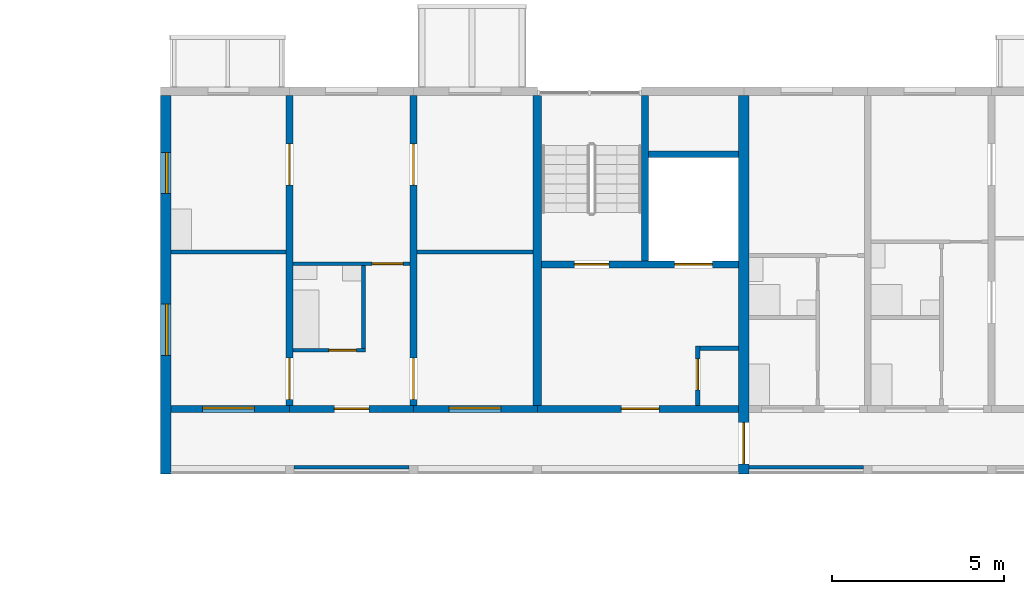
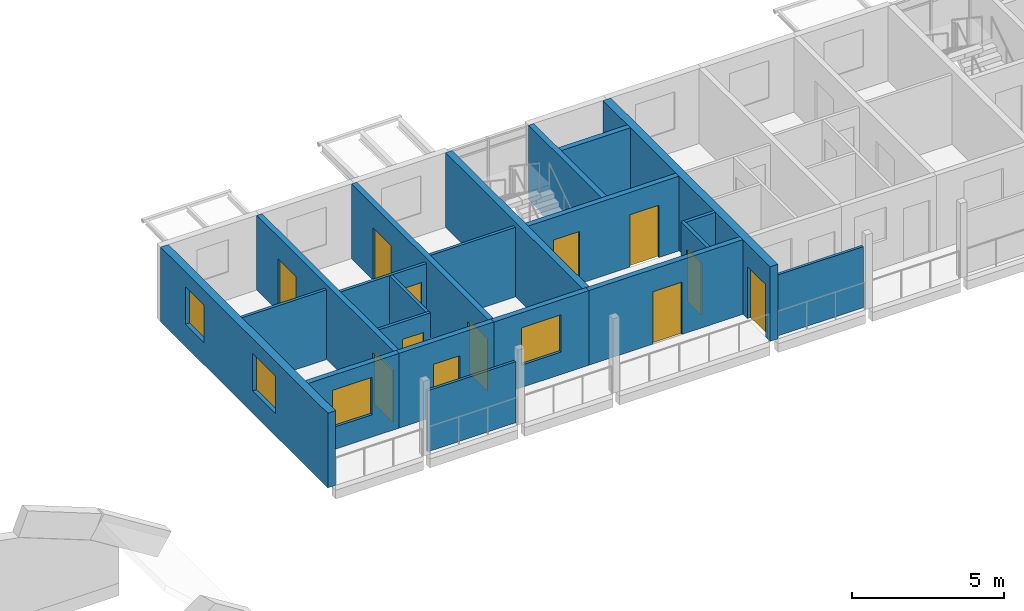
# One storey, part 48 of 99: 21 walls, 12 doors, 4 windows, 16 openings.
"""IFC4 building model written with IfcOpenShell, lengths in metres."""

from ifc_helpers import new_model, si_unit, direction, frame, frame_2d, origin, place, context, subcontext, project, spatial, rectangle, extrude, material, layer, layer_set, type_object, element, fill, save


model = new_model("IFC4")

# Units and contexts
model_context = context("Model", 3, precision=1e-05, world=origin(), true_north=direction((0.0, 1.0)))
body_context = subcontext(model_context, "Body", "Model", "MODEL_VIEW")
ifc_project = project(units=[si_unit("LENGTHUNIT", "METRE"), si_unit("AREAUNIT", "SQUARE_METRE"), si_unit("VOLUMEUNIT", "CUBIC_METRE"), si_unit("PLANEANGLEUNIT", "RADIAN"), si_unit("MASSUNIT", "GRAM", prefix="KILO")], contexts=[model_context])

# Site, building, storey
site_placement = place(None, origin())
site = spatial("IfcSite", under=ifc_project, at=site_placement, CompositionType="ELEMENT")
building_placement = place(site_placement, origin())
building = spatial("IfcBuilding", under=site, at=building_placement, Name="Ridgestep Commons", CompositionType="ELEMENT")
storey_placement = place(building_placement, frame((0.0, 0.0, 15.0)))
storey = spatial("IfcBuildingStorey", under=building, at=storey_placement, Name="L05", CompositionType="ELEMENT", Elevation=15.0)

# Wall
ifc_material_1 = material(Name="Concrete C30/37", Category="concrete")
ifc_layer_1 = layer(ifc_material_1, 0.25)
ifc_layer_set_1 = layer_set([ifc_layer_1], Name="Core cross wall 250")
wall_type_1 = type_object("IfcWallType", Name="Core cross wall 250", PredefinedType="SHEAR", material=ifc_layer_set_1)
wall_1_placement = place(storey_placement, frame((157.60009765625, 68.0, 0.0), z_axis=(0.0, 0.0, 1.0), x_axis=(0.0, 1.0, 0.0)))
element("IfcWall", 1, at=wall_1_placement, inside=storey, type_object=wall_type_1, Name="Cross wall C-05-1576", PredefinedType="SHEAR", context=body_context, shape_type="SweptSolid", body=[
    extrude(rectangle(XDim=9.0, YDim=0.25, at=frame_2d((4.5, 0.0))), origin(), (0.0, 0.0, 1.0), 3.0),
])

# Wall, opening, door
ifc_material_2 = material(Name="Concrete C30/37", Category="concrete")
ifc_layer_2 = layer(ifc_material_2, 0.199951171875)
ifc_layer_set_2 = layer_set([ifc_layer_2], Name="Core south wall 200")
wall_type_2 = type_object("IfcWallType", Name="Core south wall 200", PredefinedType="SHEAR", material=ifc_layer_set_2)
wall_2_placement = place(storey_placement, frame((157.60009765625, 67.89990234375, 0.0), z_axis=(0.0, 0.0, 1.0), x_axis=(1.0, 0.0, 0.0)))
wall_2 = element("IfcWall", 2, at=wall_2_placement, inside=storey, type_object=wall_type_2, Name="Core south wall C1C L05", PredefinedType="SHEAR", context=body_context, shape_type="SweptSolid", body=[
    extrude(rectangle(XDim=5.849853515625, YDim=0.199951171875, at=frame_2d((2.9248046875, 0.0))), origin(), (0.0, 0.0, 1.0), 3.0),
])
opening_1_placement = place(wall_2_placement, frame((2.4375, 0.0, 0.0)))
opening_1 = element("IfcOpeningElement", 3, at=opening_1_placement, cuts=wall_2, Name="Opening C1C/05/1", PredefinedType="OPENING", context=body_context, shape_type="SweptSolid", body=[
    extrude(rectangle(XDim=1.10009765625, YDim=2.10009765625, at=frame_2d((0.550048828125, 1.050048828125))), frame((0.0, 0.10986328125, 0.0), z_axis=(0.0, -1.0, 0.0), x_axis=(1.0, 0.0, 0.0)), (0.0, 0.0, 1.0), 0.219970703125),
])
ifc_material_3 = material(Name="Steel fire door", Category="steel")
door_type_1 = type_object("IfcDoorType", Name="Lobby door 1100 x 2100 FD60", OperationType="NOTDEFINED", PredefinedType="DOOR", material=ifc_material_3)
door_1_placement = place(opening_1_placement, origin())
door_1 = element("IfcDoor", 4, at=door_1_placement, inside=storey, type_object=door_type_1, Name="Lobby door C1C/05/1", OperationType="SINGLE_SWING_LEFT", OverallHeight=2.10009765625, OverallWidth=1.10009765625, PredefinedType="DOOR", context=body_context, shape_type="SweptSolid", body=[
    extrude(rectangle(XDim=1.10009765625, YDim=2.10009765625, at=frame_2d((0.550048828125, 1.050048828125))), frame((0.0, 0.02490234375, 0.0), z_axis=(0.0, -1.0, 0.0), x_axis=(1.0, 0.0, 0.0)), (0.0, 0.0, 1.0), 0.050048828125),
])
fill(opening_1, door_1)

ifc_material_4 = material(Name="Concrete C30/37", Category="concrete")
ifc_layer_3 = layer(ifc_material_4, 0.1201171875)
ifc_layer_set_3 = layer_set([ifc_layer_3], Name="Core wall 120")
wall_type_3 = type_object("IfcWallType", Name="Core wall 120", PredefinedType="SHEAR", material=ifc_layer_set_3)
wall_3_placement = place(storey_placement, frame((162.260009765625, 68.0, 0.0), z_axis=(0.0, 0.0, 1.0), x_axis=(0.0, 1.0, 0.0)))
wall_3 = element("IfcWall", 5, at=wall_3_placement, inside=storey, type_object=wall_type_3, Name="Core riser w wall C1C L05", PredefinedType="SHEAR", context=body_context, shape_type="SweptSolid", body=[
    extrude(rectangle(XDim=1.719970703125, YDim=0.1201171875, at=frame_2d((0.85986328125, 0.0))), origin(), (0.0, 0.0, 1.0), 3.0),
])
opening_2_placement = place(wall_3_placement, frame((0.449951171875, 0.0, 0.0)))
opening_2 = element("IfcOpeningElement", 6, at=opening_2_placement, cuts=wall_3, Name="Opening C1C/05/4", PredefinedType="OPENING", context=body_context, shape_type="SweptSolid", body=[
    extrude(rectangle(XDim=0.89990234375, YDim=2.10009765625, at=frame_2d((0.449951171875, 1.050048828125))), frame((0.0, 0.070068359375, 0.0), z_axis=(0.0, -1.0, 0.0), x_axis=(1.0, 0.0, 0.0)), (0.0, 0.0, 1.0), 0.14013671875),
])
ifc_material_5 = material(Name="Steel fire door", Category="steel")
door_type_2 = type_object("IfcDoorType", Name="Riser door 900 x 2100 FD60", OperationType="NOTDEFINED", PredefinedType="DOOR", material=ifc_material_5)
door_2_placement = place(opening_2_placement, origin())
door_2 = element("IfcDoor", 7, at=door_2_placement, inside=storey, type_object=door_type_2, Name="Riser door C1C/05/4", OperationType="SINGLE_SWING_LEFT", OverallHeight=2.10009765625, OverallWidth=0.89990234375, PredefinedType="DOOR", context=body_context, shape_type="SweptSolid", body=[
    extrude(rectangle(XDim=0.89990234375, YDim=2.10009765625, at=frame_2d((0.449951171875, 1.050048828125))), frame((0.0, 0.02490234375, 0.0), z_axis=(0.0, -1.0, 0.0), x_axis=(1.0, 0.0, 0.0)), (0.0, 0.0, 1.0), 0.050048828125),
])
fill(opening_2, door_2)

# Wall
wall_4_placement = place(storey_placement, frame((162.320068359375, 69.659912109375, 0.0), z_axis=(0.0, 0.0, 1.0), x_axis=(1.0, 0.0, 0.0)))
element("IfcWall", 8, at=wall_4_placement, inside=storey, type_object=wall_type_3, Name="Core riser n wall C1C L05", PredefinedType="SHEAR", context=body_context, shape_type="SweptSolid", body=[
    extrude(rectangle(XDim=1.1298828125, YDim=0.1201171875, at=frame_2d((0.56494140625, 0.0))), origin(), (0.0, 0.0, 1.0), 3.0),
])

# Wall, openings, doors
ifc_material_6 = material(Name="Concrete C30/37", Category="concrete")
ifc_layer_4 = layer(ifc_material_6, 0.199951171875)
ifc_layer_set_4 = layer_set([ifc_layer_4], Name="Core wall 200")
wall_type_4 = type_object("IfcWallType", Name="Core wall 200", PredefinedType="SHEAR", material=ifc_layer_set_4)
wall_5_placement = place(storey_placement, frame((157.72509765625, 72.10009765625, 0.0), z_axis=(0.0, 0.0, 1.0), x_axis=(1.0, 0.0, 0.0)))
wall_5 = element("IfcWall", 9, at=wall_5_placement, inside=storey, type_object=wall_type_4, Name="Core lobby wall C1C L05", PredefinedType="SHEAR", context=body_context, shape_type="SweptSolid", body=[
    extrude(rectangle(XDim=5.724853515625, YDim=0.199951171875, at=frame_2d((2.8623046875, 0.0))), origin(), (0.0, 0.0, 1.0), 3.0),
])
opening_3_placement = place(wall_5_placement, frame((0.949951171875, 0.0, 0.0)))
opening_3 = element("IfcOpeningElement", 10, at=opening_3_placement, cuts=wall_5, Name="Opening C1C/05/2", PredefinedType="OPENING", context=body_context, shape_type="SweptSolid", body=[
    extrude(rectangle(XDim=1.0, YDim=2.10009765625, at=frame_2d((0.5, 1.050048828125))), frame((0.0, 0.10986328125, 0.0), z_axis=(0.0, -1.0, 0.0), x_axis=(1.0, 0.0, 0.0)), (0.0, 0.0, 1.0), 0.219970703125),
])
opening_4_placement = place(wall_5_placement, frame((3.862548828125, 0.0, 0.0)))
opening_4 = element("IfcOpeningElement", 11, at=opening_4_placement, cuts=wall_5, Name="Opening C1C/05/3", PredefinedType="OPENING", context=body_context, shape_type="SweptSolid", body=[
    extrude(rectangle(XDim=1.10009765625, YDim=2.10009765625, at=frame_2d((0.550048828125, 1.050048828125))), frame((0.0, 0.10986328125, 0.0), z_axis=(0.0, -1.0, 0.0), x_axis=(1.0, 0.0, 0.0)), (0.0, 0.0, 1.0), 0.219970703125),
])
ifc_material_7 = material(Name="Stainless steel", Category="steel")
door_type_3 = type_object("IfcDoorType", Name="Lift landing door 1100 x 2100 FD60", OperationType="DOUBLE_DOOR_SLIDING", PredefinedType="DOOR", material=ifc_material_7)
door_3_placement = place(opening_4_placement, origin())
door_3 = element("IfcDoor", 12, at=door_3_placement, inside=storey, type_object=door_type_3, Name="Landing door LD C1C L05", OperationType="DOUBLE_DOOR_SLIDING", OverallHeight=2.10009765625, OverallWidth=1.10009765625, PredefinedType="DOOR", context=body_context, shape_type="SweptSolid", body=[
    extrude(rectangle(XDim=1.10009765625, YDim=2.10009765625, at=frame_2d((0.550048828125, 1.050048828125))), frame((0.0, 0.02490234375, 0.0), z_axis=(0.0, -1.0, 0.0), x_axis=(1.0, 0.0, 0.0)), (0.0, 0.0, 1.0), 0.050048828125),
])
fill(opening_4, door_3)
ifc_material_8 = material(Name="Steel fire door", Category="steel")
door_type_4 = type_object("IfcDoorType", Name="Stair door 1000 x 2100 FD60", OperationType="NOTDEFINED", PredefinedType="DOOR", material=ifc_material_8)
door_4_placement = place(opening_3_placement, origin())
door_4 = element("IfcDoor", 13, at=door_4_placement, inside=storey, type_object=door_type_4, Name="Stair door C1C/05/2", OperationType="SINGLE_SWING_RIGHT", OverallHeight=2.10009765625, OverallWidth=1.0, PredefinedType="DOOR", context=body_context, shape_type="SweptSolid", body=[
    extrude(rectangle(XDim=1.0, YDim=2.10009765625, at=frame_2d((0.5, 1.050048828125))), frame((0.0, 0.02490234375, 0.0), z_axis=(0.0, -1.0, 0.0), x_axis=(1.0, 0.0, 0.0)), (0.0, 0.0, 1.0), 0.050048828125),
])
fill(opening_3, door_4)

# Walls
wall_6_placement = place(storey_placement, frame((160.72509765625, 72.199951171875, 0.0), z_axis=(0.0, 0.0, 1.0), x_axis=(0.0, 1.0, 0.0)))
element("IfcWall", 14, at=wall_6_placement, inside=storey, type_object=wall_type_4, Name="Core stair wall C1C L05", PredefinedType="SHEAR", context=body_context, shape_type="SweptSolid", body=[
    extrude(rectangle(XDim=4.800048828125, YDim=0.199951171875, at=frame_2d((2.39990234375, 0.0))), origin(), (0.0, 0.0, 1.0), 3.0),
])
wall_7_placement = place(storey_placement, frame((160.824951171875, 75.300048828125, 0.0), z_axis=(0.0, 0.0, 1.0), x_axis=(1.0, 0.0, 0.0)))
element("IfcWall", 15, at=wall_7_placement, inside=storey, type_object=wall_type_4, Name="Core duct wall C1C L05", PredefinedType="SHEAR", context=body_context, shape_type="SweptSolid", body=[
    extrude(rectangle(XDim=2.625, YDim=0.199951171875, at=frame_2d((1.3125, 0.0))), origin(), (0.0, 0.0, 1.0), 3.0),
])

# Wall, openings, doors
ifc_material_9 = material(Name="Precast concrete C40/50", Category="concrete")
ifc_layer_5 = layer(ifc_material_9, 0.199951171875)
ifc_layer_set_5 = layer_set([ifc_layer_5], Name="Cross wall 200")
wall_type_5 = type_object("IfcWallType", Name="Cross wall 200", PredefinedType="SHEAR", material=ifc_layer_set_5)
wall_8_placement = place(storey_placement, frame((150.39990234375, 68.0, 0.0), z_axis=(0.0, 0.0, 1.0), x_axis=(0.0, 1.0, 0.0)))
wall_8 = element("IfcWall", 16, at=wall_8_placement, inside=storey, type_object=wall_type_5, Name="Cross wall C-05-1504", PredefinedType="SHEAR", context=body_context, shape_type="SweptSolid", body=[
    extrude(rectangle(XDim=9.0, YDim=0.199951171875, at=frame_2d((4.5, 0.0))), origin(), (0.0, 0.0, 1.0), 3.0),
])
opening_5_placement = place(wall_8_placement, frame((0.175048828125, 0.0, 0.0)))
opening_5 = element("IfcOpeningElement", 17, at=opening_5_placement, cuts=wall_8, Name="Opening C1-05a/4", PredefinedType="OPENING", context=body_context, shape_type="SweptSolid", body=[
    extrude(rectangle(XDim=1.199951171875, YDim=2.10009765625, at=frame_2d((0.60009765625, 1.050048828125))), frame((0.0, 0.10986328125, 0.0), z_axis=(0.0, -1.0, 0.0), x_axis=(1.0, 0.0, 0.0)), (0.0, 0.0, 1.0), 0.219970703125),
])
opening_6_placement = place(wall_8_placement, frame((6.39990234375, 0.0, 0.0)))
opening_6 = element("IfcOpeningElement", 18, at=opening_6_placement, cuts=wall_8, Name="Opening C1-05a/5", PredefinedType="OPENING", context=body_context, shape_type="SweptSolid", body=[
    extrude(rectangle(XDim=1.199951171875, YDim=2.10009765625, at=frame_2d((0.60009765625, 1.050048828125))), frame((0.0, 0.10986328125, 0.0), z_axis=(0.0, -1.0, 0.0), x_axis=(1.0, 0.0, 0.0)), (0.0, 0.0, 1.0), 0.219970703125),
])
ifc_material_10 = material(Name="Timber door leaf", Category="wood")
door_type_5 = type_object("IfcDoorType", Name="Double door 1200 x 2100", OperationType="DOUBLE_DOOR_SINGLE_SWING", PredefinedType="DOOR", material=ifc_material_10)
door_5_placement = place(opening_5_placement, origin())
door_5 = element("IfcDoor", 19, at=door_5_placement, inside=storey, type_object=door_type_5, Name="Double door C1-05a/4", OperationType="DOUBLE_DOOR_SINGLE_SWING", OverallHeight=2.10009765625, OverallWidth=1.199951171875, PredefinedType="DOOR", context=body_context, shape_type="SweptSolid", body=[
    extrude(rectangle(XDim=1.199951171875, YDim=2.10009765625, at=frame_2d((0.60009765625, 1.050048828125))), frame((0.0, 0.02490234375, 0.0), z_axis=(0.0, -1.0, 0.0), x_axis=(1.0, 0.0, 0.0)), (0.0, 0.0, 1.0), 0.050048828125),
])
fill(opening_5, door_5)
door_6_placement = place(opening_6_placement, origin())
door_6 = element("IfcDoor", 20, at=door_6_placement, inside=storey, type_object=door_type_5, Name="Double door C1-05a/5", OperationType="DOUBLE_DOOR_SINGLE_SWING", OverallHeight=2.10009765625, OverallWidth=1.199951171875, PredefinedType="DOOR", context=body_context, shape_type="SweptSolid", body=[
    extrude(rectangle(XDim=1.199951171875, YDim=2.10009765625, at=frame_2d((0.60009765625, 1.050048828125))), frame((0.0, 0.02490234375, 0.0), z_axis=(0.0, -1.0, 0.0), x_axis=(1.0, 0.0, 0.0)), (0.0, 0.0, 1.0), 0.050048828125),
])
fill(opening_6, door_6)

wall_9_placement = place(storey_placement, frame((154.0, 68.0, 0.0), z_axis=(0.0, 0.0, 1.0), x_axis=(0.0, 1.0, 0.0)))
wall_9 = element("IfcWall", 21, at=wall_9_placement, inside=storey, type_object=wall_type_5, Name="Cross wall C-05-1540", PredefinedType="SHEAR", context=body_context, shape_type="SweptSolid", body=[
    extrude(rectangle(XDim=9.0, YDim=0.199951171875, at=frame_2d((4.5, 0.0))), origin(), (0.0, 0.0, 1.0), 3.0),
])
opening_7_placement = place(wall_9_placement, frame((0.175048828125, 0.0, 0.0)))
opening_7 = element("IfcOpeningElement", 22, at=opening_7_placement, cuts=wall_9, Name="Opening C1-05a/6", PredefinedType="OPENING", context=body_context, shape_type="SweptSolid", body=[
    extrude(rectangle(XDim=1.199951171875, YDim=2.10009765625, at=frame_2d((0.60009765625, 1.050048828125))), frame((0.0, 0.10986328125, 0.0), z_axis=(0.0, -1.0, 0.0), x_axis=(1.0, 0.0, 0.0)), (0.0, 0.0, 1.0), 0.219970703125),
])
opening_8_placement = place(wall_9_placement, frame((6.39990234375, 0.0, 0.0)))
opening_8 = element("IfcOpeningElement", 23, at=opening_8_placement, cuts=wall_9, Name="Opening C1-05a/7", PredefinedType="OPENING", context=body_context, shape_type="SweptSolid", body=[
    extrude(rectangle(XDim=1.199951171875, YDim=2.10009765625, at=frame_2d((0.60009765625, 1.050048828125))), frame((0.0, 0.10986328125, 0.0), z_axis=(0.0, -1.0, 0.0), x_axis=(1.0, 0.0, 0.0)), (0.0, 0.0, 1.0), 0.219970703125),
])
door_7_placement = place(opening_7_placement, origin())
door_7 = element("IfcDoor", 24, at=door_7_placement, inside=storey, type_object=door_type_5, Name="Double door C1-05a/6", OperationType="DOUBLE_DOOR_SINGLE_SWING", OverallHeight=2.10009765625, OverallWidth=1.199951171875, PredefinedType="DOOR", context=body_context, shape_type="SweptSolid", body=[
    extrude(rectangle(XDim=1.199951171875, YDim=2.10009765625, at=frame_2d((0.60009765625, 1.050048828125))), frame((0.0, 0.02490234375, 0.0), z_axis=(0.0, -1.0, 0.0), x_axis=(1.0, 0.0, 0.0)), (0.0, 0.0, 1.0), 0.050048828125),
])
fill(opening_7, door_7)
door_8_placement = place(opening_8_placement, origin())
door_8 = element("IfcDoor", 25, at=door_8_placement, inside=storey, type_object=door_type_5, Name="Double door C1-05a/7", OperationType="DOUBLE_DOOR_SINGLE_SWING", OverallHeight=2.10009765625, OverallWidth=1.199951171875, PredefinedType="DOOR", context=body_context, shape_type="SweptSolid", body=[
    extrude(rectangle(XDim=1.199951171875, YDim=2.10009765625, at=frame_2d((0.60009765625, 1.050048828125))), frame((0.0, 0.02490234375, 0.0), z_axis=(0.0, -1.0, 0.0), x_axis=(1.0, 0.0, 0.0)), (0.0, 0.0, 1.0), 0.050048828125),
])
fill(opening_8, door_8)

# Wall, opening, door
ifc_material_11 = material(Name="Precast concrete C40/50", Category="concrete")
ifc_layer_6 = layer(ifc_material_11, 0.300048828125)
ifc_layer_set_6 = layer_set([ifc_layer_6], Name="Division wall 300")
wall_type_6 = type_object("IfcWallType", Name="Division wall 300", PredefinedType="SHEAR", material=ifc_layer_set_6)
wall_10_placement = place(storey_placement, frame((163.60009765625, 66.0, 0.0), z_axis=(0.0, 0.0, 1.0), x_axis=(0.0, 1.0, 0.0)))
wall_10 = element("IfcWall", 26, at=wall_10_placement, inside=storey, type_object=wall_type_6, Name="Cross wall C-05-1636", PredefinedType="SHEAR", context=body_context, shape_type="SweptSolid", body=[
    extrude(rectangle(XDim=11.0, YDim=0.300048828125, at=frame_2d((5.5, 0.0))), origin(), (0.0, 0.0, 1.0), 3.0),
])
opening_9_placement = place(wall_10_placement, frame((0.300048828125, 0.0, 0.0)))
opening_9 = element("IfcOpeningElement", 27, at=opening_9_placement, cuts=wall_10, Name="Opening C/05/G1636", PredefinedType="OPENING", context=body_context, shape_type="SweptSolid", body=[
    extrude(rectangle(XDim=1.199951171875, YDim=2.10009765625, at=frame_2d((0.60009765625, 1.050048828125))), frame((0.0, 0.159912109375, 0.0), z_axis=(0.0, -1.0, 0.0), x_axis=(1.0, 0.0, 0.0)), (0.0, 0.0, 1.0), 0.320068359375),
])
ifc_material_12 = material(Name="Steel fire door", Category="steel")
door_type_6 = type_object("IfcDoorType", Name="Division fire door 1200 x 2100 EI 240", OperationType="DOUBLE_DOOR_SINGLE_SWING", PredefinedType="DOOR", material=ifc_material_12)
door_9_placement = place(opening_9_placement, origin())
door_9 = element("IfcDoor", 28, at=door_9_placement, inside=storey, type_object=door_type_6, Name="Division fire door C/05/G1636", OperationType="DOUBLE_DOOR_SINGLE_SWING", OverallHeight=2.10009765625, OverallWidth=1.199951171875, PredefinedType="DOOR", context=body_context, shape_type="SweptSolid", body=[
    extrude(rectangle(XDim=1.199951171875, YDim=2.10009765625, at=frame_2d((0.60009765625, 1.050048828125))), frame((0.0, 0.02490234375, 0.0), z_axis=(0.0, -1.0, 0.0), x_axis=(1.0, 0.0, 0.0)), (0.0, 0.0, 1.0), 0.050048828125),
])
fill(opening_9, door_9)

# Wall, openings, windows
ifc_material_13 = material(Name="Precast concrete C40/50", Category="concrete")
ifc_layer_7 = layer(ifc_material_13, 0.300048828125)
ifc_layer_set_7 = layer_set([ifc_layer_7], Name="Exposed division wall 300")
wall_type_7 = type_object("IfcWallType", Name="Exposed division wall 300", PredefinedType="SHEAR", material=ifc_layer_set_7)
wall_11_placement = place(storey_placement, frame((146.800048828125, 66.0, 0.0), z_axis=(0.0, 0.0, 1.0), x_axis=(0.0, 1.0, 0.0)))
wall_11 = element("IfcWall", 29, at=wall_11_placement, inside=storey, type_object=wall_type_7, Name="Cross wall C-05-1468", PredefinedType="SHEAR", context=body_context, shape_type="SweptSolid", body=[
    extrude(rectangle(XDim=11.0, YDim=0.300048828125, at=frame_2d((5.5, 0.0))), origin(), (0.0, 0.0, 1.0), 3.0),
])
opening_10_placement = place(wall_11_placement, frame((3.449951171875, 0.0, 0.89990234375)))
opening_10 = element("IfcOpeningElement", 30, at=opening_10_placement, cuts=wall_11, Name="Opening W16", PredefinedType="OPENING", context=body_context, shape_type="SweptSolid", body=[
    extrude(rectangle(XDim=1.5, YDim=1.5, at=frame_2d((0.75, 0.75))), frame((0.0, 0.159912109375, 0.0), z_axis=(0.0, -1.0, 0.0), x_axis=(1.0, 0.0, 0.0)), (0.0, 0.0, 1.0), 0.320068359375),
])
opening_11_placement = place(wall_11_placement, frame((8.155029296875, 0.0, 0.89990234375)))
opening_11 = element("IfcOpeningElement", 31, at=opening_11_placement, cuts=wall_11, Name="Opening W10", PredefinedType="OPENING", context=body_context, shape_type="SweptSolid", body=[
    extrude(rectangle(XDim=1.199951171875, YDim=1.5, at=frame_2d((0.60009765625, 0.75))), frame((0.0, 0.159912109375, 0.0), z_axis=(0.0, -1.0, 0.0), x_axis=(1.0, 0.0, 0.0)), (0.0, 0.0, 1.0), 0.320068359375),
])
ifc_material_14 = material(Name="Aluminium 6063-T6 and glass", Category="aluminium")
window_type_1 = type_object("IfcWindowType", Name="Flat window 1200 x 1500", PartitioningType="SINGLE_PANEL", PredefinedType="WINDOW", material=ifc_material_14)
window_1_placement = place(opening_11_placement, origin())
window_1 = element("IfcWindow", 32, at=window_1_placement, inside=storey, type_object=window_type_1, Name="Window C1-05a 7", OverallHeight=1.5, OverallWidth=1.199951171875, PartitioningType="SINGLE_PANEL", PredefinedType="WINDOW", context=body_context, shape_type="SweptSolid", body=[
    extrude(rectangle(XDim=1.199951171875, YDim=1.5, at=frame_2d((0.60009765625, 0.75))), frame((0.0, 0.0, 0.0), z_axis=(0.0, -1.0, 0.0), x_axis=(1.0, 0.0, 0.0)), (0.0, 0.0, 1.0), 0.06005859375),
])
fill(opening_11, window_1)
ifc_material_15 = material(Name="Aluminium 6063-T6 and glass", Category="aluminium")
window_type_2 = type_object("IfcWindowType", Name="Flat window 1500 x 1500", PartitioningType="DOUBLE_PANEL_VERTICAL", PredefinedType="WINDOW", material=ifc_material_15)
window_2_placement = place(opening_10_placement, origin())
window_2 = element("IfcWindow", 33, at=window_2_placement, inside=storey, type_object=window_type_2, Name="Window C1-05a 6", OverallHeight=1.5, OverallWidth=1.5, PartitioningType="SINGLE_PANEL", PredefinedType="WINDOW", context=body_context, shape_type="SweptSolid", body=[
    extrude(rectangle(XDim=1.5, YDim=1.5, at=frame_2d((0.75, 0.75))), frame((0.0, 0.0, 0.0), z_axis=(0.0, -1.0, 0.0), x_axis=(1.0, 0.0, 0.0)), (0.0, 0.0, 1.0), 0.06005859375),
])
fill(opening_10, window_2)

# Wall, opening, door
ifc_material_16 = material(Name="Common brick 110 mm", Category="masonry")
ifc_layer_8 = layer(ifc_material_16, 0.110107421875)
ifc_layer_set_8 = layer_set([ifc_layer_8], Name="Partition 110")
wall_type_8 = type_object("IfcWallType", Name="Partition 110", PredefinedType="PARTITIONING", material=ifc_layer_set_8)
wall_12_placement = place(storey_placement, frame((150.5, 69.60498046875, 0.0), z_axis=(0.0, 0.0, 1.0), x_axis=(1.0, 0.0, 0.0)))
wall_12 = element("IfcWall", 34, at=wall_12_placement, inside=storey, type_object=wall_type_8, Name="Partition C1-05a", PredefinedType="PARTITIONING", context=body_context, shape_type="SweptSolid", body=[
    extrude(rectangle(XDim=2.10009765625, YDim=0.110107421875, at=frame_2d((1.050048828125, 0.0))), origin(), (0.0, 0.0, 1.0), 2.800048828125),
])
opening_12_placement = place(wall_12_placement, frame((1.0400390625, 0.0, 0.0)))
opening_12 = element("IfcOpeningElement", 35, at=opening_12_placement, cuts=wall_12, Name="Opening C1-05a/2", PredefinedType="OPENING", context=body_context, shape_type="SweptSolid", body=[
    extrude(rectangle(XDim=0.800048828125, YDim=2.10009765625, at=frame_2d((0.39990234375, 1.050048828125))), frame((0.0, 0.06494140625, 0.0), z_axis=(0.0, -1.0, 0.0), x_axis=(1.0, 0.0, 0.0)), (0.0, 0.0, 1.0), 0.130126953125),
])
ifc_material_17 = material(Name="Timber door leaf", Category="wood")
door_type_7 = type_object("IfcDoorType", Name="Internal door 800 x 2100", OperationType="NOTDEFINED", PredefinedType="DOOR", material=ifc_material_17)
door_10_placement = place(opening_12_placement, origin())
door_10 = element("IfcDoor", 36, at=door_10_placement, inside=storey, type_object=door_type_7, Name="Internal door C1-05a/2", OperationType="SINGLE_SWING_RIGHT", OverallHeight=2.10009765625, OverallWidth=0.800048828125, PredefinedType="DOOR", context=body_context, shape_type="SweptSolid", body=[
    extrude(rectangle(XDim=0.800048828125, YDim=2.10009765625, at=frame_2d((0.39990234375, 1.050048828125))), frame((0.0, 0.02490234375, 0.0), z_axis=(0.0, -1.0, 0.0), x_axis=(1.0, 0.0, 0.0)), (0.0, 0.0, 1.0), 0.050048828125),
])
fill(opening_12, door_10)

# Wall
wall_13_placement = place(storey_placement, frame((152.544921875, 69.659912109375, 0.0), z_axis=(0.0, 0.0, 1.0), x_axis=(0.0, 1.0, 0.0)))
element("IfcWall", 37, at=wall_13_placement, inside=storey, type_object=wall_type_8, Name="Partition C1-05a", PredefinedType="PARTITIONING", context=body_context, shape_type="SweptSolid", body=[
    extrude(rectangle(XDim=2.400146484375, YDim=0.110107421875, at=frame_2d((1.2001953125, 0.0))), origin(), (0.0, 0.0, 1.0), 2.800048828125),
])

# Wall, opening, door
wall_14_placement = place(storey_placement, frame((150.5, 72.114990234375, 0.0), z_axis=(0.0, 0.0, 1.0), x_axis=(1.0, 0.0, 0.0)))
wall_14 = element("IfcWall", 38, at=wall_14_placement, inside=storey, type_object=wall_type_8, Name="Partition C1-05a", PredefinedType="PARTITIONING", context=body_context, shape_type="SweptSolid", body=[
    extrude(rectangle(XDim=3.39990234375, YDim=0.110107421875, at=frame_2d((1.699951171875, 0.0))), origin(), (0.0, 0.0, 1.0), 2.800048828125),
])
opening_13_placement = place(wall_14_placement, frame((2.300048828125, 0.0, 0.0)))
opening_13 = element("IfcOpeningElement", 39, at=opening_13_placement, cuts=wall_14, Name="Opening C1-05a/3", PredefinedType="OPENING", context=body_context, shape_type="SweptSolid", body=[
    extrude(rectangle(XDim=0.89990234375, YDim=2.10009765625, at=frame_2d((0.449951171875, 1.050048828125))), frame((0.0, 0.06494140625, 0.0), z_axis=(0.0, -1.0, 0.0), x_axis=(1.0, 0.0, 0.0)), (0.0, 0.0, 1.0), 0.130126953125),
])
ifc_material_18 = material(Name="Timber door leaf", Category="wood")
door_type_8 = type_object("IfcDoorType", Name="Internal door 900 x 2100", OperationType="NOTDEFINED", PredefinedType="DOOR", material=ifc_material_18)
door_11_placement = place(opening_13_placement, origin())
door_11 = element("IfcDoor", 40, at=door_11_placement, inside=storey, type_object=door_type_8, Name="Internal door C1-05a/3", OperationType="SINGLE_SWING_LEFT", OverallHeight=2.10009765625, OverallWidth=0.89990234375, PredefinedType="DOOR", context=body_context, shape_type="SweptSolid", body=[
    extrude(rectangle(XDim=0.89990234375, YDim=2.10009765625, at=frame_2d((0.449951171875, 1.050048828125))), frame((0.0, 0.02490234375, 0.0), z_axis=(0.0, -1.0, 0.0), x_axis=(1.0, 0.0, 0.0)), (0.0, 0.0, 1.0), 0.050048828125),
])
fill(opening_13, door_11)

# Walls
wall_15_placement = place(storey_placement, frame((146.949951171875, 72.455078125, 0.0), z_axis=(0.0, 0.0, 1.0), x_axis=(1.0, 0.0, 0.0)))
element("IfcWall", 41, at=wall_15_placement, inside=storey, type_object=wall_type_8, Name="Partition C1-05a", PredefinedType="PARTITIONING", context=body_context, shape_type="SweptSolid", body=[
    extrude(rectangle(XDim=3.35009765625, YDim=0.110107421875, at=frame_2d((1.675048828125, 0.0))), origin(), (0.0, 0.0, 1.0), 2.800048828125),
])
wall_16_placement = place(storey_placement, frame((154.10009765625, 72.455078125, 0.0), z_axis=(0.0, 0.0, 1.0), x_axis=(1.0, 0.0, 0.0)))
element("IfcWall", 42, at=wall_16_placement, inside=storey, type_object=wall_type_8, Name="Partition C1-05a", PredefinedType="PARTITIONING", context=body_context, shape_type="SweptSolid", body=[
    extrude(rectangle(XDim=3.375, YDim=0.110107421875, at=frame_2d((1.6875, 0.0))), origin(), (0.0, 0.0, 1.0), 2.800048828125),
])
ifc_material_19 = material(Name="Precast concrete C30/37", Category="concrete")
ifc_layer_9 = layer(ifc_material_19, 0.10009765625)
ifc_layer_set_9 = layer_set([ifc_layer_9], Name="Perforated gallery screen 3325 x 2450 x 100")
wall_type_9 = type_object("IfcWallType", Name="Perforated gallery screen 3325 x 2450 x 100", PredefinedType="SOLIDWALL", material=ifc_layer_set_9)
wall_17_placement = place(storey_placement, frame((163.75, 66.199951171875, 0.0), z_axis=(0.0, 0.0, 1.0), x_axis=(1.0, 0.0, 0.0)))
element("IfcWall", 43, at=wall_17_placement, inside=storey, type_object=wall_type_9, Name="Gallery screen C2T1 05", PredefinedType="SOLIDWALL", context=body_context, shape_type="SweptSolid", body=[
    extrude(rectangle(XDim=3.324951171875, YDim=0.10009765625, at=frame_2d((1.66259765625, 0.0))), origin(), (0.0, 0.0, 1.0), 2.449951171875),
])
ifc_material_20 = material(Name="Precast concrete C30/37", Category="concrete")
ifc_layer_10 = layer(ifc_material_20, 0.10009765625)
ifc_layer_set_10 = layer_set([ifc_layer_10], Name="Perforated gallery screen 3350 x 2450 x 100")
wall_type_10 = type_object("IfcWallType", Name="Perforated gallery screen 3350 x 2450 x 100", PredefinedType="SOLIDWALL", material=ifc_layer_set_10)
wall_18_placement = place(storey_placement, frame((150.52490234375, 66.199951171875, 0.0), z_axis=(0.0, 0.0, 1.0), x_axis=(1.0, 0.0, 0.0)))
element("IfcWall", 44, at=wall_18_placement, inside=storey, type_object=wall_type_10, Name="Gallery screen C1T2 05", PredefinedType="SOLIDWALL", context=body_context, shape_type="SweptSolid", body=[
    extrude(rectangle(XDim=3.35009765625, YDim=0.10009765625, at=frame_2d((1.675048828125, 0.0))), origin(), (0.0, 0.0, 1.0), 2.449951171875),
])

# Wall, opening, window
ifc_material_21 = material(Name="Precast concrete C40/50", Category="concrete")
ifc_layer_11 = layer(ifc_material_21, 0.199951171875)
ifc_layer_set_11 = layer_set([ifc_layer_11], Name="South facade panel 200")
wall_type_11 = type_object("IfcWallType", Name="South facade panel 200", PredefinedType="SOLIDWALL", material=ifc_layer_set_11)
wall_19_placement = place(storey_placement, frame((146.949951171875, 67.89990234375, 0.0), z_axis=(0.0, 0.0, 1.0), x_axis=(1.0, 0.0, 0.0)))
wall_19 = element("IfcWall", 45, at=wall_19_placement, inside=storey, type_object=wall_type_11, Name="South panel C1T1 L05", PredefinedType="SOLIDWALL", context=body_context, shape_type="SweptSolid", body=[
    extrude(rectangle(XDim=3.449951171875, YDim=0.199951171875, at=frame_2d((1.72509765625, 0.0))), origin(), (0.0, 0.0, 1.0), 3.0),
])
opening_14_placement = place(wall_19_placement, frame((0.925048828125, 0.0, 0.89990234375)))
opening_14 = element("IfcOpeningElement", 46, at=opening_14_placement, cuts=wall_19, Name="Opening W16", PredefinedType="OPENING", context=body_context, shape_type="SweptSolid", body=[
    extrude(rectangle(XDim=1.5, YDim=1.5, at=frame_2d((0.75, 0.75))), frame((0.0, 0.10986328125, 0.0), z_axis=(0.0, -1.0, 0.0), x_axis=(1.0, 0.0, 0.0)), (0.0, 0.0, 1.0), 0.219970703125),
])
window_3_placement = place(opening_14_placement, origin())
window_3 = element("IfcWindow", 47, at=window_3_placement, inside=storey, type_object=window_type_2, Name="Window C1-05a 1", OverallHeight=1.5, OverallWidth=1.5, PartitioningType="SINGLE_PANEL", PredefinedType="WINDOW", context=body_context, shape_type="SweptSolid", body=[
    extrude(rectangle(XDim=1.5, YDim=1.5, at=frame_2d((0.75, 0.75))), frame((0.0, 0.06005859375, 0.0), z_axis=(0.0, -1.0, 0.0), x_axis=(1.0, 0.0, 0.0)), (0.0, 0.0, 1.0), 0.06005859375),
])
fill(opening_14, window_3)

# Wall, opening, door
wall_20_placement = place(storey_placement, frame((150.39990234375, 67.89990234375, 0.0), z_axis=(0.0, 0.0, 1.0), x_axis=(1.0, 0.0, 0.0)))
wall_20 = element("IfcWall", 48, at=wall_20_placement, inside=storey, type_object=wall_type_11, Name="South panel C1T2 L05", PredefinedType="SOLIDWALL", context=body_context, shape_type="SweptSolid", body=[
    extrude(rectangle(XDim=3.60009765625, YDim=0.199951171875, at=frame_2d((1.800048828125, 0.0))), origin(), (0.0, 0.0, 1.0), 3.0),
])
opening_15_placement = place(wall_20_placement, frame((1.300048828125, 0.0, 0.0)))
opening_15 = element("IfcOpeningElement", 49, at=opening_15_placement, cuts=wall_20, Name="Opening C1-05a/1", PredefinedType="OPENING", context=body_context, shape_type="SweptSolid", body=[
    extrude(rectangle(XDim=1.0, YDim=2.10009765625, at=frame_2d((0.5, 1.050048828125))), frame((0.0, 0.10986328125, 0.0), z_axis=(0.0, -1.0, 0.0), x_axis=(1.0, 0.0, 0.0)), (0.0, 0.0, 1.0), 0.219970703125),
])
ifc_material_22 = material(Name="Timber door leaf", Category="wood")
door_type_9 = type_object("IfcDoorType", Name="Flat entrance door 1000 x 2100 FD30S", OperationType="NOTDEFINED", PredefinedType="DOOR", material=ifc_material_22)
door_12_placement = place(opening_15_placement, origin())
door_12 = element("IfcDoor", 50, at=door_12_placement, inside=storey, type_object=door_type_9, Name="Flat entrance door C1-05a/1", OperationType="SINGLE_SWING_RIGHT", OverallHeight=2.10009765625, OverallWidth=1.0, PredefinedType="DOOR", context=body_context, shape_type="SweptSolid", body=[
    extrude(rectangle(XDim=1.0, YDim=2.10009765625, at=frame_2d((0.5, 1.050048828125))), frame((0.0, 0.02490234375, 0.0), z_axis=(0.0, -1.0, 0.0), x_axis=(1.0, 0.0, 0.0)), (0.0, 0.0, 1.0), 0.050048828125),
])
fill(opening_15, door_12)

# Wall, opening, window
wall_21_placement = place(storey_placement, frame((154.0, 67.89990234375, 0.0), z_axis=(0.0, 0.0, 1.0), x_axis=(1.0, 0.0, 0.0)))
wall_21 = element("IfcWall", 51, at=wall_21_placement, inside=storey, type_object=wall_type_11, Name="South panel C1T3 L05", PredefinedType="SOLIDWALL", context=body_context, shape_type="SweptSolid", body=[
    extrude(rectangle(XDim=3.60009765625, YDim=0.199951171875, at=frame_2d((1.800048828125, 0.0))), origin(), (0.0, 0.0, 1.0), 3.0),
])
opening_16_placement = place(wall_21_placement, frame((1.03759765625, 0.0, 0.89990234375)))
opening_16 = element("IfcOpeningElement", 52, at=opening_16_placement, cuts=wall_21, Name="Opening W16", PredefinedType="OPENING", context=body_context, shape_type="SweptSolid", body=[
    extrude(rectangle(XDim=1.5, YDim=1.5, at=frame_2d((0.75, 0.75))), frame((0.0, 0.10986328125, 0.0), z_axis=(0.0, -1.0, 0.0), x_axis=(1.0, 0.0, 0.0)), (0.0, 0.0, 1.0), 0.219970703125),
])
window_4_placement = place(opening_16_placement, origin())
window_4 = element("IfcWindow", 53, at=window_4_placement, inside=storey, type_object=window_type_2, Name="Window C1-05a 3", OverallHeight=1.5, OverallWidth=1.5, PartitioningType="SINGLE_PANEL", PredefinedType="WINDOW", context=body_context, shape_type="SweptSolid", body=[
    extrude(rectangle(XDim=1.5, YDim=1.5, at=frame_2d((0.75, 0.75))), frame((0.0, 0.06005859375, 0.0), z_axis=(0.0, -1.0, 0.0), x_axis=(1.0, 0.0, 0.0)), (0.0, 0.0, 1.0), 0.06005859375),
])
fill(opening_16, window_4)

save(model, "model.ifc")
